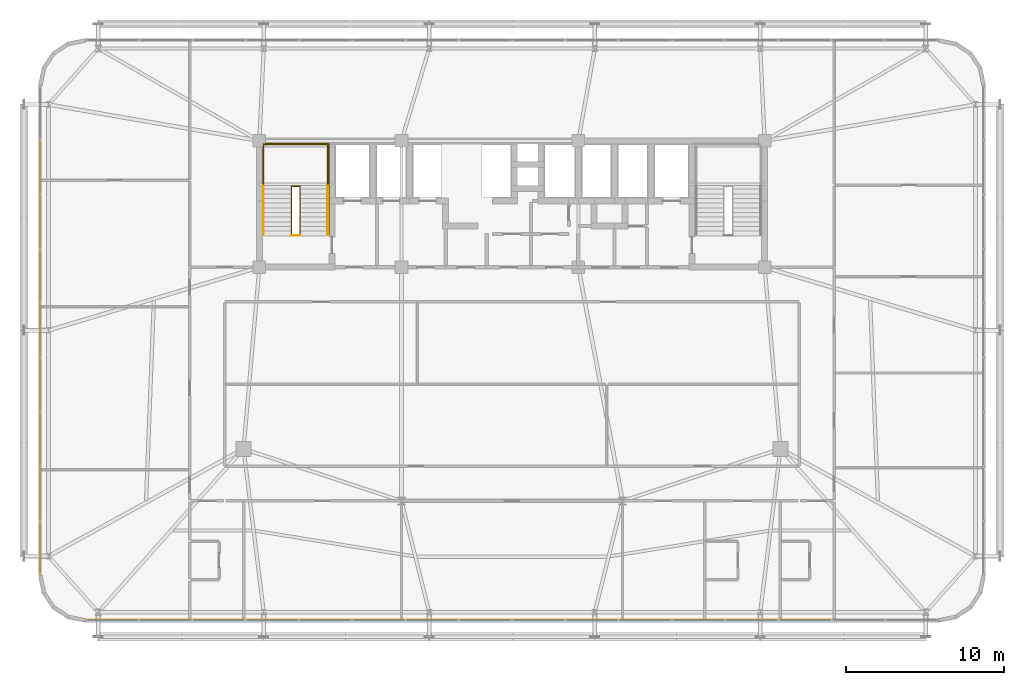
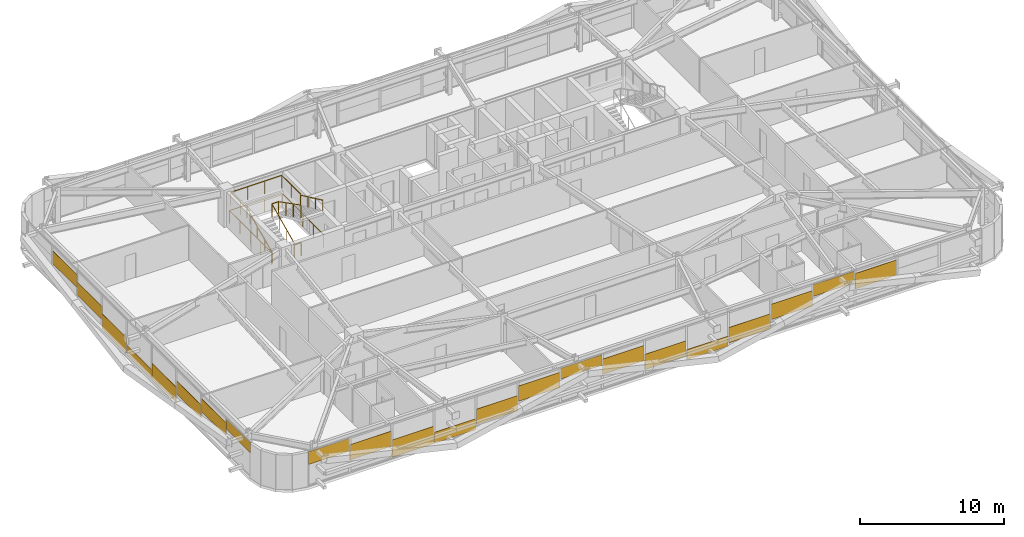
# One storey, part 57 of 59: 22 coverings, 6 railings.
"""IFC4 building model written with IfcOpenShell, lengths in metres."""

from ifc_helpers import new_model, si_unit, direction, frame, origin, origin_2d, place, context, subcontext, project, spatial, rectangle, extrude, source, transform, mapped, material, layer, layer_set, type_object, element, save


model = new_model("IFC4")

# Units and contexts
model_context = context("Model", 3, precision=1e-05, world=origin(), true_north=direction((0.0, 1.0)))
body_context = subcontext(model_context, "Body", "Model", "MODEL_VIEW")
ifc_project = project(units=[si_unit("LENGTHUNIT", "METRE"), si_unit("AREAUNIT", "SQUARE_METRE"), si_unit("VOLUMEUNIT", "CUBIC_METRE"), si_unit("PLANEANGLEUNIT", "RADIAN"), si_unit("MASSUNIT", "GRAM", prefix="KILO")], contexts=[model_context])

# Site, building, storey
site_placement = place(None, origin())
site = spatial("IfcSite", under=ifc_project, at=site_placement, CompositionType="ELEMENT")
building_placement = place(site_placement, origin())
building = spatial("IfcBuilding", under=site, at=building_placement, Name="Taldren Reach Tower", CompositionType="ELEMENT")
storey_placement = place(building_placement, frame((0.0, 0.0, 26.25)))
storey = spatial("IfcBuildingStorey", under=building, at=storey_placement, Name="L07", CompositionType="ELEMENT", Elevation=26.25)

# Railings
ifc_material_1 = material(Name="Steel Gr 350 (C350L0)", Category="steel")
ifc_layer_1 = layer(ifc_material_1, 0.050048828125)
ifc_layer_set_1 = layer_set([ifc_layer_1], Name="Steel Gr 350 (C350L0)")
railing_type_1 = type_object("IfcRailingType", Name="RL-STAIR-GR", PredefinedType="GUARDRAIL", material=ifc_layer_set_1)
railing_1_placement = place(storey_placement, frame((19.260009765625, 29.135009765625, 1.574951171875)))
element("IfcRailing", 1, at=railing_1_placement, inside=storey, type_object=railing_type_1, Name="Stair half-landing perimeter guard ST1-L07", PredefinedType="GUARDRAIL", context=body_context, shape_type="SweptSolid", body=[
    extrude(rectangle(XDim=0.047852, YDim=0.047852, at=origin_2d()), frame((0.0, 0.0, 1.09619140625), z_axis=(0.0, 1.0, 0.0), x_axis=(-1.0, 0.0, 0.0)), (0.0, 0.0, 1.0), 2.64501953125),
    extrude(rectangle(XDim=0.047852, YDim=0.047852, at=origin_2d()), frame((0.0, 2.64501953125, 1.09619140625), z_axis=(1.0, 0.0, 0.0), x_axis=(0.0, 1.0, 0.0)), (0.0, 0.0, 1.0), 4.080078125),
    extrude(rectangle(XDim=0.047852, YDim=0.047852, at=origin_2d()), frame((4.080078125, 2.64501953125, 1.09619140625), z_axis=(0.0, -1.0, 0.0), x_axis=(1.0, 0.0, 0.0)), (0.0, 0.0, 1.0), 2.64501953125),
    extrude(rectangle(XDim=0.041992, YDim=0.041992, at=origin_2d()), origin(), (0.0, 0.0, 1.0), 1.072021484375),
    extrude(rectangle(XDim=0.041992, YDim=0.041992, at=origin_2d()), frame((0.0, 1.322509765625, 0.0)), (0.0, 0.0, 1.0), 1.072021484375),
    extrude(rectangle(XDim=0.041992, YDim=0.041992, at=origin_2d()), frame((0.0, 2.64501953125, 0.0)), (0.0, 0.0, 1.0), 1.072021484375),
    extrude(rectangle(XDim=0.041992, YDim=0.041992, at=origin_2d()), frame((1.360107421875, 2.64501953125, 0.0)), (0.0, 0.0, 1.0), 1.072021484375),
    extrude(rectangle(XDim=0.041992, YDim=0.041992, at=origin_2d()), frame((2.719970703125, 2.64501953125, 0.0)), (0.0, 0.0, 1.0), 1.072021484375),
    extrude(rectangle(XDim=0.041992, YDim=0.041992, at=origin_2d()), frame((4.080078125, 2.64501953125, 0.0)), (0.0, 0.0, 1.0), 1.072021484375),
    extrude(rectangle(XDim=0.041992, YDim=0.041992, at=origin_2d()), frame((4.080078125, 1.322509765625, 0.0)), (0.0, 0.0, 1.0), 1.072021484375),
    extrude(rectangle(XDim=0.041992, YDim=0.041992, at=origin_2d()), frame((4.080078125, 0.0, 0.0)), (0.0, 0.0, 1.0), 1.072021484375),
])
railing_2_placement = place(storey_placement, frame((21.030029296875, 26.050048828125, 0.13134765625)))
element("IfcRailing", 2, at=railing_2_placement, inside=storey, type_object=railing_type_1, Name="Stairwell inner guard ST1-L07", PredefinedType="GUARDRAIL", context=body_context, shape_type="SweptSolid", body=[
    extrude(rectangle(XDim=0.047852, YDim=0.047852, at=origin_2d()), frame((0.0, 0.0, 1.09619140625), z_axis=(0.0, 0.905737652094, 0.423838773095), x_axis=(-1.0, 0.0, 0.0)), (0.0, 0.0, 1.0), 3.406005859375),
    extrude(rectangle(XDim=0.047852, YDim=0.047852, at=origin_2d()), frame((0.0, 3.0849609375, 2.53955078125), z_axis=(1.0, 0.0, 0.0), x_axis=(0.0, 1.0, 0.0)), (0.0, 0.0, 1.0), 0.5400390625),
    extrude(rectangle(XDim=0.047852, YDim=0.047852, at=origin_2d()), frame((0.5400390625, 3.0849609375, 2.53955078125), z_axis=(0.0, -0.890645957773, 0.45469745755), x_axis=(1.0, 0.0, 0.0)), (0.0, 0.0, 1.0), 3.463623046875),
    extrude(rectangle(XDim=0.041992, YDim=0.041992, at=origin_2d()), origin(), (0.0, 0.0, 1.0), 1.072021484375),
    extrude(rectangle(XDim=0.041992, YDim=0.041992, at=origin_2d()), frame((0.0, 1.0283203125, 0.481201171875)), (0.0, 0.0, 1.0), 1.072021484375),
    extrude(rectangle(XDim=0.041992, YDim=0.041992, at=origin_2d()), frame((0.0, 2.056640625, 0.96240234375)), (0.0, 0.0, 1.0), 1.072021484375),
    extrude(rectangle(XDim=0.041992, YDim=0.041992, at=origin_2d()), frame((0.0, 3.0849609375, 1.443603515625)), (0.0, 0.0, 1.0), 1.072021484375),
    extrude(rectangle(XDim=0.041992, YDim=0.041992, at=origin_2d()), frame((0.5400390625, 3.0849609375, 1.443603515625)), (0.0, 0.0, 1.0), 1.072021484375),
    extrude(rectangle(XDim=0.041992, YDim=0.041992, at=origin_2d()), frame((0.5400390625, 2.056640625, 1.968505859375)), (0.0, 0.0, 1.0), 1.072021484375),
    extrude(rectangle(XDim=0.041992, YDim=0.041992, at=origin_2d()), frame((0.5400390625, 1.0283203125, 2.49365234375)), (0.0, 0.0, 1.0), 1.072021484375),
    extrude(rectangle(XDim=0.041992, YDim=0.041992, at=origin_2d()), frame((0.5400390625, 0.0, 3.0185546875)), (0.0, 0.0, 1.0), 1.072021484375),
])
railing_3_placement = place(storey_placement, frame((21.030029296875, 26.010009765625, 0.0)))
element("IfcRailing", 3, at=railing_3_placement, inside=storey, type_object=railing_type_1, Name="Stairwell landing slot guard ST1-L07", PredefinedType="GUARDRAIL", context=body_context, shape_type="SweptSolid", body=[
    extrude(rectangle(XDim=0.047852, YDim=0.047852, at=origin_2d()), frame((0.0, 0.0, 1.09619140625), z_axis=(1.0, 0.0, 0.0), x_axis=(0.0, 1.0, 0.0)), (0.0, 0.0, 1.0), 0.5400390625),
    extrude(rectangle(XDim=0.041992, YDim=0.041992, at=origin_2d()), origin(), (0.0, 0.0, 1.0), 1.072021484375),
    extrude(rectangle(XDim=0.041992, YDim=0.041992, at=origin_2d()), frame((0.5400390625, 0.0, 0.0)), (0.0, 0.0, 1.0), 1.072021484375),
])
railing_4_placement = place(storey_placement, frame((19.18994140625, 26.050048828125, 0.0)))
element("IfcRailing", 4, at=railing_4_placement, inside=storey, type_object=railing_type_1, Name="Stairwell floor opening guard ST1-L07", PredefinedType="GUARDRAIL", context=body_context, shape_type="SweptSolid", body=[
    extrude(rectangle(XDim=0.047852, YDim=0.047852, at=origin_2d()), frame((0.0, 0.0, 1.09619140625), z_axis=(0.0, 1.0, 0.0), x_axis=(-1.0, 0.0, 0.0)), (0.0, 0.0, 1.0), 5.800048828125),
    extrude(rectangle(XDim=0.047852, YDim=0.047852, at=origin_2d()), frame((0.0, 5.800048828125, 1.09619140625), z_axis=(1.0, 0.0, 0.0), x_axis=(0.0, 1.0, 0.0)), (0.0, 0.0, 1.0), 4.219970703125),
    extrude(rectangle(XDim=0.047852, YDim=0.047852, at=origin_2d()), frame((4.219970703125, 5.800048828125, 1.09619140625), z_axis=(0.0, -1.0, 0.0), x_axis=(1.0, 0.0, 0.0)), (0.0, 0.0, 1.0), 5.800048828125),
    extrude(rectangle(XDim=0.041992, YDim=0.041992, at=origin_2d()), origin(), (0.0, 0.0, 1.0), 1.072021484375),
    extrude(rectangle(XDim=0.041992, YDim=0.041992, at=origin_2d()), frame((0.0, 1.449951171875, 0.0)), (0.0, 0.0, 1.0), 1.072021484375),
    extrude(rectangle(XDim=0.041992, YDim=0.041992, at=origin_2d()), frame((0.0, 2.89990234375, 0.0)), (0.0, 0.0, 1.0), 1.072021484375),
    extrude(rectangle(XDim=0.041992, YDim=0.041992, at=origin_2d()), frame((0.0, 4.35009765625, 0.0)), (0.0, 0.0, 1.0), 1.072021484375),
    extrude(rectangle(XDim=0.041992, YDim=0.041992, at=origin_2d()), frame((0.0, 5.800048828125, 0.0)), (0.0, 0.0, 1.0), 1.072021484375),
    extrude(rectangle(XDim=0.041992, YDim=0.041992, at=origin_2d()), frame((1.40673828125, 5.800048828125, 0.0)), (0.0, 0.0, 1.0), 1.072021484375),
    extrude(rectangle(XDim=0.041992, YDim=0.041992, at=origin_2d()), frame((2.813232421875, 5.800048828125, 0.0)), (0.0, 0.0, 1.0), 1.072021484375),
    extrude(rectangle(XDim=0.041992, YDim=0.041992, at=origin_2d()), frame((4.219970703125, 5.800048828125, 0.0)), (0.0, 0.0, 1.0), 1.072021484375),
    extrude(rectangle(XDim=0.041992, YDim=0.041992, at=origin_2d()), frame((4.219970703125, 4.35009765625, 0.0)), (0.0, 0.0, 1.0), 1.072021484375),
    extrude(rectangle(XDim=0.041992, YDim=0.041992, at=origin_2d()), frame((4.219970703125, 2.89990234375, 0.0)), (0.0, 0.0, 1.0), 1.072021484375),
    extrude(rectangle(XDim=0.041992, YDim=0.041992, at=origin_2d()), frame((4.219970703125, 1.449951171875, 0.0)), (0.0, 0.0, 1.0), 1.072021484375),
    extrude(rectangle(XDim=0.041992, YDim=0.041992, at=origin_2d()), frame((4.219970703125, 0.0, 0.0)), (0.0, 0.0, 1.0), 1.072021484375),
])
ifc_material_2 = material(Name="Stainless Steel Gr 316", Category="steel")
ifc_layer_2 = layer(ifc_material_2, 0.048095703125)
ifc_layer_set_2 = layer_set([ifc_layer_2], Name="Stainless Steel Gr 316")
railing_type_2 = type_object("IfcRailingType", Name="RL-STAIR-HR", PredefinedType="HANDRAIL", material=ifc_layer_set_2)
railing_5_placement = place(storey_placement, frame((19.27001953125, 26.050048828125, 0.13134765625)))
element("IfcRailing", 5, at=railing_5_placement, inside=storey, type_object=railing_type_2, Name="Stair flight handrail ST1-L07-1", PredefinedType="HANDRAIL", context=body_context, shape_type="SweptSolid", body=[
    extrude(rectangle(XDim=0.047852, YDim=0.047852, at=origin_2d()), frame((0.0, 0.0, 0.89599609375), z_axis=(0.0, 0.905737652094, 0.423838773095), x_axis=(-1.0, 0.0, 0.0)), (0.0, 0.0, 1.0), 3.406005859375),
    extrude(rectangle(XDim=0.041992, YDim=0.041992, at=origin_2d()), origin(), (0.0, 0.0, 1.0), 0.871826171875),
    extrude(rectangle(XDim=0.041992, YDim=0.041992, at=origin_2d()), frame((0.0, 1.0283203125, 0.481201171875)), (0.0, 0.0, 1.0), 0.871826171875),
    extrude(rectangle(XDim=0.041992, YDim=0.041992, at=origin_2d()), frame((0.0, 2.056640625, 0.96240234375)), (0.0, 0.0, 1.0), 0.871826171875),
    extrude(rectangle(XDim=0.041992, YDim=0.041992, at=origin_2d()), frame((0.0, 3.0849609375, 1.443603515625)), (0.0, 0.0, 1.0), 0.871826171875),
])
railing_6_placement = place(storey_placement, frame((23.330078125, 29.135009765625, 1.706298828125)))
element("IfcRailing", 6, at=railing_6_placement, inside=storey, type_object=railing_type_2, Name="Stair flight handrail ST1-L07-2", PredefinedType="HANDRAIL", context=body_context, shape_type="SweptSolid", body=[
    extrude(rectangle(XDim=0.047852, YDim=0.047852, at=origin_2d()), frame((0.0, 0.0, 0.89599609375), z_axis=(0.0, -0.905737652094, 0.423838773095), x_axis=(1.0, 0.0, 0.0)), (0.0, 0.0, 1.0), 3.406005859375),
    extrude(rectangle(XDim=0.041992, YDim=0.041992, at=origin_2d()), origin(), (0.0, 0.0, 1.0), 0.871826171875),
    extrude(rectangle(XDim=0.041992, YDim=0.041992, at=origin_2d()), frame((0.0, -1.0283203125, 0.481201171875)), (0.0, 0.0, 1.0), 0.871826171875),
    extrude(rectangle(XDim=0.041992, YDim=0.041992, at=origin_2d()), frame((0.0, -2.056640625, 0.96240234375)), (0.0, 0.0, 1.0), 0.871826171875),
    extrude(rectangle(XDim=0.041992, YDim=0.041992, at=origin_2d()), frame((0.0, -3.0849609375, 1.443603515625)), (0.0, 0.0, 1.0), 0.871826171875),
])

# Coverings
ifc_material_3 = material(Name="Pale Champagne Fluoropolymer Aluminium Spandrel Cladding", Category="aluminium")
ifc_layer_3 = layer(ifc_material_3, 0.0439453125)
ifc_layer_set_3 = layer_set([ifc_layer_3], Name="Pale Champagne Fluoropolymer Aluminium Spandrel Cladding")
covering_type = type_object("IfcCoveringType", Name="CV-CLAD-044", PredefinedType="CLADDING", material=ifc_layer_set_3)
shared_shape_1 = source(origin(), body_context, "Body", "SweptSolid", [
    extrude(rectangle(XDim=3.277587890625, YDim=0.0439453125, at=origin_2d()), origin(), (0.0, 0.0, 1.0), 1.081298828125),
])
covering_1_placement = place(storey_placement, frame((9.703857421875, 1.639892578125, 1.7939453125), z_axis=(0.0, 0.0, 1.0), x_axis=(1.0, 0.0, 0.0)))
element("IfcCovering", 7, at=covering_1_placement, inside=storey, type_object=covering_type, Name="Diagrid closure cladding strip CW-2 panel 1.1 1", PredefinedType="CLADDING", context=body_context, shape_type="MappedRepresentation", body=[
    mapped(shared_shape_1, transform((0.0, 0.0, 0.0), scale=1.0)),
])
shared_shape_2 = source(origin(), body_context, "Body", "SweptSolid", [
    extrude(rectangle(XDim=3.31005859375, YDim=0.0439453125, at=origin_2d()), origin(), (0.0, 0.0, 1.0), 1.301025390625),
])
for number, where, z_axis, x_axis, name in (
    (8, (13.0625, 1.639892578125, 1.01123046875), (0.0, 0.0, 1.0), (1.0, 0.0, 0.0), "Diagrid closure cladding strip CW-2 panel 2.1 1"),
    (9, (23.1875, 1.639892578125, 0.4755859375), (0.0, 0.0, 1.0), (1.0, 0.0, 0.0), "Diagrid closure cladding strip CW-2 panel 5.1 1"),
    (10, (26.5625, 1.639892578125, 1.25830078125), (0.0, 0.0, 1.0), (1.0, 0.0, 0.0), "Diagrid closure cladding strip CW-2 panel 6.1 1"),
    (11, (33.3125, 1.639892578125, 1.17578125), (0.0, 0.0, 1.0), (1.0, 0.0, 0.0), "Diagrid closure cladding strip CW-2 panel 8.1 1"),
    (12, (36.6875, 1.639892578125, 0.39306640625), (0.0, 0.0, 1.0), (1.0, 0.0, 0.0), "Diagrid closure cladding strip CW-2 panel 9.1 1"),
    (13, (43.4375, 1.639892578125, 0.31103515625), (0.0, 0.0, 1.0), (1.0, 0.0, 0.0), "Diagrid closure cladding strip CW-2 panel 11.1 1"),
    (14, (46.8125, 1.639892578125, 1.09326171875), (0.0, 0.0, 1.0), (1.0, 0.0, 0.0), "Diagrid closure cladding strip CW-2 panel 12.1 1"),
    (15, (53.5625, 1.639892578125, 1.34033203125), (0.0, 0.0, 1.0), (1.0, 0.0, 0.0), "Diagrid closure cladding strip CW-2 panel 14.1 1"),
):
    element("IfcCovering", number, at=place(storey_placement, frame(where, z_axis=z_axis, x_axis=x_axis)), inside=storey, type_object=covering_type, Name=name, PredefinedType="CLADDING", context=body_context, shape_type="MappedRepresentation", body=[
        mapped(shared_shape_2, transform((0.0, 0.0, 0.0), scale=1.0)),
    ])
shared_shape_3 = source(origin(), body_context, "Body", "SweptSolid", [
    extrude(rectangle(XDim=3.31005859375, YDim=0.0439453125, at=origin_2d()), origin(), (0.0, 0.0, 1.0), 1.474609375),
])
covering_2_placement = place(storey_placement, frame((16.4375, 1.639892578125, 0.054931640625), z_axis=(0.0, 0.0, 1.0), x_axis=(1.0, 0.0, 0.0)))
element("IfcCovering", 16, at=covering_2_placement, inside=storey, type_object=covering_type, Name="Diagrid closure cladding strip CW-2 panel 3.1 1", PredefinedType="CLADDING", context=body_context, shape_type="MappedRepresentation", body=[
    mapped(shared_shape_3, transform((0.0, 0.0, 0.0), scale=1.0)),
])
shared_shape_4 = source(origin(), body_context, "Body", "SweptSolid", [
    extrude(rectangle(XDim=3.31005859375, YDim=0.0439453125, at=origin_2d()), origin(), (0.0, 0.0, 1.0), 0.93896484375),
])
covering_3_placement = place(storey_placement, frame((19.8125, 1.639892578125, 0.054931640625), z_axis=(0.0, 0.0, 1.0), x_axis=(1.0, 0.0, 0.0)))
element("IfcCovering", 17, at=covering_3_placement, inside=storey, type_object=covering_type, Name="Diagrid closure cladding strip CW-2 panel 4.1 1", PredefinedType="CLADDING", context=body_context, shape_type="MappedRepresentation", body=[
    mapped(shared_shape_4, transform((0.0, 0.0, 0.0), scale=1.0)),
])
shared_shape_5 = source(origin(), body_context, "Body", "SweptSolid", [
    extrude(rectangle(XDim=3.31005859375, YDim=0.0439453125, at=origin_2d()), origin(), (0.0, 0.0, 1.0), 0.916748046875),
])
covering_4_placement = place(storey_placement, frame((29.9375, 1.639892578125, 1.95849609375), z_axis=(0.0, 0.0, 1.0), x_axis=(1.0, 0.0, 0.0)))
element("IfcCovering", 18, at=covering_4_placement, inside=storey, type_object=covering_type, Name="Diagrid closure cladding strip CW-2 panel 7.1 1", PredefinedType="CLADDING", context=body_context, shape_type="MappedRepresentation", body=[
    mapped(shared_shape_5, transform((0.0, 0.0, 0.0), scale=1.0)),
])
shared_shape_6 = source(origin(), body_context, "Body", "SweptSolid", [
    extrude(rectangle(XDim=3.31005859375, YDim=0.0439453125, at=origin_2d()), origin(), (0.0, 0.0, 1.0), 0.856689453125),
])
covering_5_placement = place(storey_placement, frame((40.0625, 1.639892578125, 0.05517578125), z_axis=(0.0, 0.0, 1.0), x_axis=(1.0, 0.0, 0.0)))
element("IfcCovering", 19, at=covering_5_placement, inside=storey, type_object=covering_type, Name="Diagrid closure cladding strip CW-2 panel 10.1 1", PredefinedType="CLADDING", context=body_context, shape_type="MappedRepresentation", body=[
    mapped(shared_shape_6, transform((0.0, 0.0, 0.0), scale=1.0)),
])
shared_shape_7 = source(origin(), body_context, "Body", "SweptSolid", [
    extrude(rectangle(XDim=3.31005859375, YDim=0.0439453125, at=origin_2d()), origin(), (0.0, 0.0, 1.0), 0.9990234375),
])
covering_6_placement = place(storey_placement, frame((50.1875, 1.639892578125, 1.8759765625), z_axis=(0.0, 0.0, 1.0), x_axis=(1.0, 0.0, 0.0)))
element("IfcCovering", 20, at=covering_6_placement, inside=storey, type_object=covering_type, Name="Diagrid closure cladding strip CW-2 panel 13.1 1", PredefinedType="CLADDING", context=body_context, shape_type="MappedRepresentation", body=[
    mapped(shared_shape_7, transform((0.0, 0.0, 0.0), scale=1.0)),
])
shared_shape_8 = source(origin(), body_context, "Body", "SweptSolid", [
    extrude(rectangle(XDim=3.346923828125, YDim=0.0439453125, at=origin_2d()), origin(), (0.0, 0.0, 1.0), 0.864501953125),
])
covering_7_placement = place(storey_placement, frame((5.139892578125, 6.238525390625, 2.01025390625), z_axis=(0.0, 0.0, 1.0), x_axis=(0.0, -1.0, 0.0)))
element("IfcCovering", 21, at=covering_7_placement, inside=storey, type_object=covering_type, Name="Diagrid closure cladding strip CW-2 panel 9.1 1", PredefinedType="CLADDING", context=body_context, shape_type="MappedRepresentation", body=[
    mapped(shared_shape_8, transform((0.0, 0.0, 0.0), scale=1.0)),
])
shared_shape_9 = source(origin(), body_context, "Body", "SweptSolid", [
    extrude(rectangle(XDim=3.37939453125, YDim=0.0439453125, at=origin_2d()), origin(), (0.0, 0.0, 1.0), 1.1015625),
])
for number, where, z_axis, x_axis, name in (
    (22, (5.139892578125, 30.333251953125, 1.425048828125), (0.0, 0.0, 1.0), (0.0, -1.0, 0.0), "Diagrid closure cladding strip CW-2 panel 2.1 1"),
    (23, (5.139892578125, 26.888916015625, 0.83984375), (0.0, 0.0, 1.0), (0.0, -1.0, 0.0), "Diagrid closure cladding strip CW-2 panel 3.1 1"),
    (24, (5.139892578125, 13.111083984375, 0.83984375), (0.0, 0.0, 1.0), (0.0, -1.0, 0.0), "Diagrid closure cladding strip CW-2 panel 7.1 1"),
    (25, (5.139892578125, 9.666748046875, 1.425048828125), (0.0, 0.0, 1.0), (0.0, -1.0, 0.0), "Diagrid closure cladding strip CW-2 panel 8.1 1"),
):
    element("IfcCovering", number, at=place(storey_placement, frame(where, z_axis=z_axis, x_axis=x_axis)), inside=storey, type_object=covering_type, Name=name, PredefinedType="CLADDING", context=body_context, shape_type="MappedRepresentation", body=[
        mapped(shared_shape_9, transform((0.0, 0.0, 0.0), scale=1.0)),
    ])
shared_shape_10 = source(origin(), body_context, "Body", "SweptSolid", [
    extrude(rectangle(XDim=3.37939453125, YDim=0.0439453125, at=origin_2d()), origin(), (0.0, 0.0, 1.0), 1.301025390625),
])
for number, where, z_axis, x_axis, name in (
    (26, (5.139892578125, 23.4443359375, 0.05517578125), (0.0, 0.0, 1.0), (0.0, -1.0, 0.0), "Diagrid closure cladding strip CW-2 panel 4.1 1"),
    (27, (5.139892578125, 16.5556640625, 0.05517578125), (0.0, 0.0, 1.0), (0.0, -1.0, 0.0), "Diagrid closure cladding strip CW-2 panel 6.1 1"),
):
    element("IfcCovering", number, at=place(storey_placement, frame(where, z_axis=z_axis, x_axis=x_axis)), inside=storey, type_object=covering_type, Name=name, PredefinedType="CLADDING", context=body_context, shape_type="MappedRepresentation", body=[
        mapped(shared_shape_10, transform((0.0, 0.0, 0.0), scale=1.0)),
    ])
shared_shape_11 = source(origin(), body_context, "Body", "SweptSolid", [
    extrude(rectangle(XDim=3.37939453125, YDim=0.0439453125, at=origin_2d()), origin(), (0.0, 0.0, 1.0), 0.7158203125),
])
covering_8_placement = place(storey_placement, frame((5.139892578125, 20.0, 0.054931640625), z_axis=(0.0, 0.0, 1.0), x_axis=(0.0, -1.0, 0.0)))
element("IfcCovering", 28, at=covering_8_placement, inside=storey, type_object=covering_type, Name="Diagrid closure cladding strip CW-2 panel 5.1 1", PredefinedType="CLADDING", context=body_context, shape_type="MappedRepresentation", body=[
    mapped(shared_shape_11, transform((0.0, 0.0, 0.0), scale=1.0)),
])

save(model, "model.ifc")
